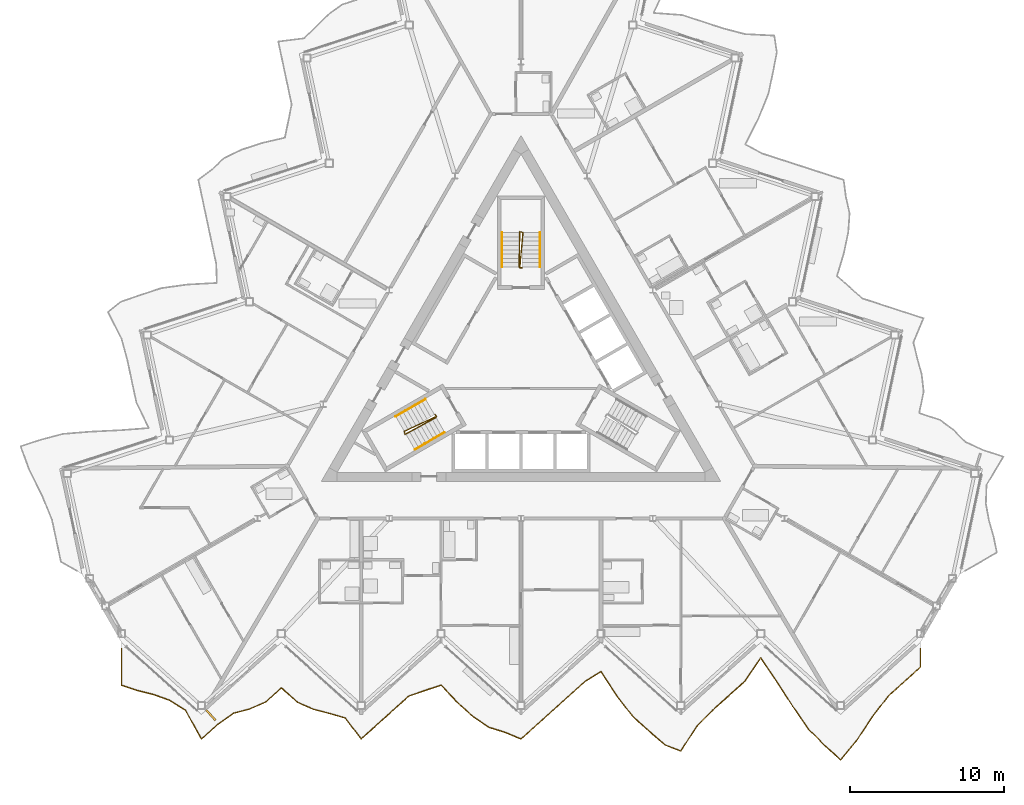
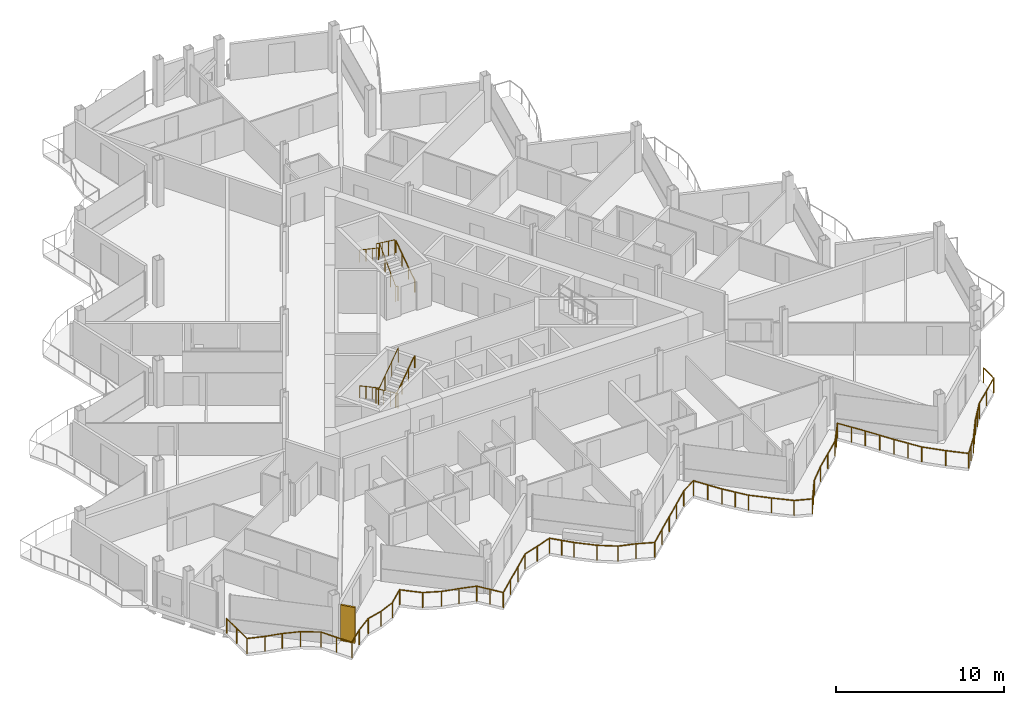
# One storey, part 22 of 26: 7 railings, 1 shading device.
"""IFC4 building model written with IfcOpenShell, lengths in metres."""

import ifcopenshell
import ifcopenshell.guid

model = None  # the IFC model being written
_history = None  # IfcOwnerHistory: only IFC2X3 demands one
_inside = {}  # id of a spatial element -> (the spatial element, [elements in it])
_under = {}  # id of a project, library or spatial element -> (it, [spatial elements below it])
_declared = {}  # id of a project -> (the project, [libraries it declares])
_typed = {}  # id of a type object -> (the type object, [elements of that type])
_made_of = {}  # id of a material, layer set ... -> (it, [elements and type objects made of it])


def new_model(schema):
    """Start an empty IFC model of exactly this schema.

    Asked for "IFC4X3", IfcOpenShell would pick the latest addendum, in which some entities
    have other attributes; the version numbers below select the first issue.
    IFC2X3 requires an IfcOwnerHistory on every rooted entity: one is made here for all.
    """
    global model, _history
    if schema == "IFC4X3":
        model = ifcopenshell.file(schema_version=(4, 3, 0, 0))
    else:
        model = ifcopenshell.file(schema=schema)
    _inside.clear()
    _under.clear()
    _declared.clear()
    _typed.clear()
    _made_of.clear()
    _history = None
    if model.schema == "IFC2X3":
        org = make("IfcOrganization", Name="unknown")
        user = make(
            "IfcPersonAndOrganization",
            ThePerson=make("IfcPerson", FamilyName="unknown"),
            TheOrganization=org,
        )
        app = make(
            "IfcApplication",
            ApplicationDeveloper=org,
            Version="unknown",
            ApplicationFullName="unknown",
            ApplicationIdentifier="unknown",
        )
        _history = make(
            "IfcOwnerHistory",
            OwningUser=user,
            OwningApplication=app,
            ChangeAction="ADDED",
            CreationDate=0,
        )
    return model


def make(cls, **values):
    """One entity of the class cls with the attributes given. An attribute that is None is left unset."""
    return model.create_entity(
        cls, **{name: value for name, value in values.items() if value is not None}
    )


def rooted(cls, **values):
    """An entity with a GlobalId (a new one), such as an element, a storey or a relation."""
    return make(cls, GlobalId=ifcopenshell.guid.new(), OwnerHistory=_history, **values)


def si_unit(unit_type, name, prefix=None):
    """IfcSIUnit, for example si_unit("LENGTHUNIT", "METRE", prefix="MILLI")."""
    return make("IfcSIUnit", UnitType=unit_type, Prefix=prefix, Name=name)


def assignment(units):
    """IfcUnitAssignment: the units of a project."""
    return None if units is None else make("IfcUnitAssignment", Units=units)


def point(xyz):
    """IfcCartesianPoint."""
    return None if xyz is None else make("IfcCartesianPoint", Coordinates=xyz)


def direction(xyz):
    """IfcDirection."""
    return None if xyz is None else make("IfcDirection", DirectionRatios=xyz)


def frame(location, z_axis=None, x_axis=None):
    """IfcAxis2Placement3D, a coordinate frame: its origin and axes. An axis left out is left unset."""
    return make(
        "IfcAxis2Placement3D",
        Location=point(location),
        Axis=direction(z_axis),
        RefDirection=direction(x_axis),
    )


def frame_2d(location, x_axis=None):
    """IfcAxis2Placement2D, a coordinate frame in the plane: its origin and x axis."""
    return make(
        "IfcAxis2Placement2D", Location=point(location), RefDirection=direction(x_axis)
    )


def origin():
    """The frame at (0, 0, 0) with its axes left unset."""
    return frame((0.0, 0.0, 0.0))


def origin_2d():
    """The frame at (0, 0) in the plane with its x axis left unset."""
    return frame_2d((0.0, 0.0))


def place(relative_to, where):
    """IfcLocalPlacement: puts the frame where relative to a parent placement (None: the world)."""
    return make(
        "IfcLocalPlacement", PlacementRelTo=relative_to, RelativePlacement=where
    )


def context(
    kind, dimensions, precision=None, world=None, true_north=None, identifier=None
):
    """IfcGeometricRepresentationContext, for example the 3D "Model" context."""
    return make(
        "IfcGeometricRepresentationContext",
        ContextIdentifier=identifier,
        ContextType=kind,
        CoordinateSpaceDimension=dimensions,
        Precision=precision,
        WorldCoordinateSystem=world,
        TrueNorth=true_north,
    )


def subcontext(parent, identifier, kind, view, scale=None):
    """IfcGeometricRepresentationSubContext, for example "Body" below "Model"."""
    return make(
        "IfcGeometricRepresentationSubContext",
        ContextIdentifier=identifier,
        ContextType=kind,
        ParentContext=parent,
        TargetScale=scale,
        TargetView=view,
    )


def project(units=None, contexts=None):
    """IfcProject with its units and contexts."""
    return rooted(
        "IfcProject",
        Name="project",
        RepresentationContexts=contexts,
        UnitsInContext=assignment(units),
    )


def spatial(cls, under=None, at=None, **own):
    """A site, building, storey or space (cls), placed at a placement, below another one or the project."""
    s = rooted(cls, ObjectPlacement=at, **own)
    if under is not None:
        _under.setdefault(under.id(), (under, []))[1].append(s)
    return s


def profile(cls, at=None, kind="AREA", **sizes):
    """A parametric profile (cls). Its sizes go by their IFC names, for example OverallWidth=200.0."""
    return make(cls, ProfileType=kind, Position=at, **sizes)


def rectangle(**sizes):
    """IfcRectangleProfileDef."""
    return profile("IfcRectangleProfileDef", **sizes)


def circle(**sizes):
    """IfcCircleProfileDef."""
    return profile("IfcCircleProfileDef", **sizes)


def extrude(swept, where, along, depth):
    """IfcExtrudedAreaSolid: the profile swept, set in the frame where, extruded along a direction by depth."""
    return make(
        "IfcExtrudedAreaSolid",
        SweptArea=swept,
        Position=where,
        ExtrudedDirection=direction(along),
        Depth=depth,
    )


def shape(context_of_items, identifier, shape_type, items):
    """IfcShapeRepresentation: the items that make up one representation, for example the "Body"."""
    return make(
        "IfcShapeRepresentation",
        ContextOfItems=context_of_items,
        RepresentationIdentifier=identifier,
        RepresentationType=shape_type,
        Items=items,
    )


def material(Name=None, Category=None):
    """IfcMaterial."""
    return make("IfcMaterial", Name=Name, Category=Category)


def layer(
    of_material, thickness, ventilated=None, Name=None, Category=None, Priority=None
):
    """IfcMaterialLayer: one layer of a wall or slab, of a material (None: an air gap)."""
    return make(
        "IfcMaterialLayer",
        Material=of_material,
        LayerThickness=thickness,
        IsVentilated=ventilated,
        Name=Name,
        Category=Category,
        Priority=Priority,
    )


def layer_set(layers, Name=None):
    """IfcMaterialLayerSet."""
    return make("IfcMaterialLayerSet", MaterialLayers=layers, LayerSetName=Name)


def made_of(thing, what):
    """Note that an element or type object is made of a material, layer set ...; save() writes the relation."""
    if what is not None:
        _made_of.setdefault(what.id(), (what, []))[1].append(thing)
    return thing


def type_object(cls, material=None, **own):
    """A type object (cls), such as IfcWallType, which elements share."""
    return made_of(rooted(cls, **own), material)


def element(
    cls,
    number,
    at=None,
    inside=None,
    cuts=None,
    type_object=None,
    material=None,
    context=None,
    identifier="Body",
    shape_type=None,
    held_by="IfcProductDefinitionShape",
    body=None,
    shapes=None,
    **own,
):
    """One element of the class cls, such as IfcWall. Its Tag is "e" and its number.

    at: its placement. inside: the storey or other place that contains it. cuts: it is an
    opening in that element (IfcRelVoidsElement). A single representation is given by context,
    identifier, shape_type and body (its items); several are given by shapes. held_by: the class
    of the entity that holds the representations. save() writes the other relations.
    """
    e = rooted(cls, Tag="e%d" % number, ObjectPlacement=at, **own)
    if body is not None:
        shapes = [shape(context, identifier, shape_type, body)]
    if shapes is not None:
        e.Representation = make(held_by, Representations=shapes)
    if inside is not None:
        _inside.setdefault(inside.id(), (inside, []))[1].append(e)
    if cuts is not None:
        rooted(
            "IfcRelVoidsElement", RelatingBuildingElement=cuts, RelatedOpeningElement=e
        )
    if type_object is not None:
        _typed.setdefault(type_object.id(), (type_object, []))[1].append(e)
    return made_of(e, material)


def aggregate(whole, parts):
    """IfcRelAggregates: a whole, such as a stair, and the parts it consists of."""
    return rooted("IfcRelAggregates", RelatingObject=whole, RelatedObjects=parts)


def save(model, path):
    """Write the relations noted so far, then the file.

    IfcRelAggregates (storeys below a building ...), IfcRelContainedInSpatialStructure (elements
    in a storey), IfcRelDefinesByType, IfcRelAssociatesMaterial and IfcRelDeclares: one each for
    every whole, place, type object, material and project.
    """
    for whole, parts in _under.values():
        aggregate(whole, parts)
    for where, things in _inside.values():
        rooted(
            "IfcRelContainedInSpatialStructure",
            RelatedElements=things,
            RelatingStructure=where,
        )
    for kind, things in _typed.values():
        rooted("IfcRelDefinesByType", RelatedObjects=things, RelatingType=kind)
    for what, things in _made_of.values():
        rooted("IfcRelAssociatesMaterial", RelatedObjects=things, RelatingMaterial=what)
    for by, libraries in _declared.values():
        rooted("IfcRelDeclares", RelatingContext=by, RelatedDefinitions=libraries)
    model.write(path)


model = new_model("IFC4")

# Units and contexts
model_context = context("Model", 3, precision=1e-05, world=origin(), true_north=direction((0.0, 1.0)))
body_context = subcontext(model_context, "Body", "Model", "MODEL_VIEW")
ifc_project = project(units=[si_unit("LENGTHUNIT", "METRE"), si_unit("AREAUNIT", "SQUARE_METRE"), si_unit("VOLUMEUNIT", "CUBIC_METRE"), si_unit("PLANEANGLEUNIT", "RADIAN"), si_unit("MASSUNIT", "GRAM", prefix="KILO")], contexts=[model_context])

# Site, building, storey
site_placement = place(None, origin())
site = spatial("IfcSite", under=ifc_project, at=site_placement, CompositionType="ELEMENT")
building_placement = place(site_placement, origin())
building = spatial("IfcBuilding", under=site, at=building_placement, Name="Cormorant Prow Tower", CompositionType="ELEMENT")
storey_placement = place(building_placement, frame((0.0, 0.0, 378.0)))
storey = spatial("IfcBuildingStorey", under=building, at=storey_placement, Name="L85", CompositionType="ELEMENT", Elevation=378.0)

# Railings
ifc_material_1 = material(Name="Aluminium 6063-T6", Category="aluminium")
railing_type_1 = type_object("IfcRailingType", Name="Balcony guard 1100", PredefinedType="GUARDRAIL", material=ifc_material_1)
railing_1_placement = place(storey_placement, frame((-26.0, -18.363525390625, 0.0)))
element("IfcRailing", 1, at=railing_1_placement, inside=storey, type_object=railing_type_1, Name="Balcony guard S", PredefinedType="GUARDRAIL", context=body_context, shape_type="SweptSolid", body=[
    extrude(circle(Radius=0.02392578125, at=origin_2d()), frame((0.0, 0.0, 1.076171875), z_axis=(0.0, -1.0, 0.0), x_axis=(1.0, 0.0, 0.0)), (0.0, 0.0, 1.0), 2.40380859375),
    extrude(circle(Radius=0.02392578125, at=origin_2d()), frame((0.0, -2.40380859375, 1.076171875), z_axis=(0.949216711511, -0.314623003909, 0.0), x_axis=(0.314623003909, 0.949216711511, 0.0)), (0.0, 0.0, 1.0), 1.095703125),
    extrude(circle(Radius=0.02392578125, at=origin_2d()), frame((1.0400390625, -2.74853515625, 1.076171875), z_axis=(0.970463258891, -0.241248965062, 0.0), x_axis=(0.241248965062, 0.970463258891, 0.0)), (0.0, 0.0, 1.0), 1.07177734375),
    extrude(circle(Radius=0.02392578125, at=origin_2d()), frame((2.080078125, -3.007080078125, 1.076171875), z_axis=(0.941491643018, -0.337036327606, 0.0), x_axis=(0.337036327606, 0.941491643018, 0.0)), (0.0, 0.0, 1.0), 1.104736328125),
    extrude(circle(Radius=0.02392578125, at=origin_2d()), frame((3.1201171875, -3.37939453125, 1.076171875), z_axis=(0.847271053482, -0.531160768442, 0.0), x_axis=(0.531160768442, 0.847271053482, 0.0)), (0.0, 0.0, 1.0), 1.227294921875),
    extrude(circle(Radius=0.02392578125, at=origin_2d()), frame((4.159912109375, -4.03125, 1.076171875), z_axis=(0.48588501577, -0.874022740808, 0.0), x_axis=(0.874022740808, 0.48588501577, 0.0)), (0.0, 0.0, 1.0), 2.140625),
    extrude(circle(Radius=0.02392578125, at=origin_2d()), frame((5.199951171875, -5.902099609375, 1.076171875), z_axis=(0.743120643554, 0.66915746213, 0.0), x_axis=(-0.66915746213, 0.743120643554, 0.0)), (0.0, 0.0, 1.0), 1.399658203125),
    extrude(circle(Radius=0.02392578125, at=origin_2d()), frame((6.239990234375, -4.965576171875, 1.076171875), z_axis=(0.816160009133, 0.577825959518, 0.0), x_axis=(-0.577825959518, 0.816160009133, 0.0)), (0.0, 0.0, 1.0), 1.2744140625),
    extrude(circle(Radius=0.02392578125, at=origin_2d()), frame((7.280029296875, -4.229248046875, 1.076171875), z_axis=(0.967745006886, 0.251931740056, 0.0), x_axis=(-0.251931740056, 0.967745006886, 0.0)), (0.0, 0.0, 1.0), 1.07470703125),
    extrude(circle(Radius=0.02392578125, at=origin_2d()), frame((8.320068359375, -3.95849609375, 1.076171875), z_axis=(0.91708374588, 0.398694623796, 0.0), x_axis=(-0.398694623796, 0.91708374588, 0.0)), (0.0, 0.0, 1.0), 1.134033203125),
    extrude(circle(Radius=0.02392578125, at=origin_2d()), frame((9.360107421875, -3.50634765625, 1.076171875), z_axis=(0.743129279254, 0.669147871786, 0.0), x_axis=(-0.669147871786, 0.743129279254, 0.0)), (0.0, 0.0, 1.0), 1.399169921875),
    extrude(circle(Radius=0.02392578125, at=origin_2d()), frame((10.39990234375, -2.570068359375, 1.076171875), z_axis=(0.743207391022, -0.669061113749, 0.0), x_axis=(0.669061113749, 0.743207391022, 0.0)), (0.0, 0.0, 1.0), 1.3994140625),
    extrude(circle(Radius=0.02392578125, at=origin_2d()), frame((11.43994140625, -3.50634765625, 1.076171875), z_axis=(0.915584205274, -0.402126302363, 0.0), x_axis=(0.402126302363, 0.915584205274, 0.0)), (0.0, 0.0, 1.0), 1.135986328125),
    extrude(circle(Radius=0.02392578125, at=origin_2d()), frame((12.47998046875, -3.963134765625, 1.076171875), z_axis=(0.967578668894, -0.252569830941, 0.0), x_axis=(0.252569830941, 0.967578668894, 0.0)), (0.0, 0.0, 1.0), 1.074951171875),
    extrude(circle(Radius=0.02392578125, at=origin_2d()), frame((13.52001953125, -4.234619140625, 1.076171875), z_axis=(0.960994388174, -0.276567868521, 0.0), x_axis=(0.276567868521, 0.960994388174, 0.0)), (0.0, 0.0, 1.0), 1.082275390625),
    extrude(circle(Radius=0.02392578125, at=origin_2d()), frame((14.56005859375, -4.533935546875, 1.076171875), z_axis=(0.605169709373, -0.796096490922, 0.0), x_axis=(0.796096490922, 0.605169709373, 0.0)), (0.0, 0.0, 1.0), 1.718505859375),
    extrude(circle(Radius=0.02392578125, at=origin_2d()), frame((15.60009765625, -5.902099609375, 1.076171875), z_axis=(0.74304251841, 0.669244212403, 0.0), x_axis=(-0.669244212403, 0.74304251841, 0.0)), (0.0, 0.0, 1.0), 1.3994140625),
    extrude(circle(Radius=0.02392578125, at=origin_2d()), frame((16.639892578125, -4.965576171875, 1.076171875), z_axis=(0.743207391022, 0.669061113749, 0.0), x_axis=(-0.669061113749, 0.743207391022, 0.0)), (0.0, 0.0, 1.0), 1.3994140625),
    extrude(circle(Radius=0.02392578125, at=origin_2d()), frame((17.679931640625, -4.029296875, 1.076171875), z_axis=(0.743120643554, 0.66915746213, 0.0), x_axis=(-0.66915746213, 0.743120643554, 0.0)), (0.0, 0.0, 1.0), 1.399658203125),
    extrude(circle(Radius=0.02392578125, at=origin_2d()), frame((18.719970703125, -3.0927734375, 1.076171875), z_axis=(0.947879229776, 0.318629825596, 0.0), x_axis=(-0.318629825596, 0.947879229776, 0.0)), (0.0, 0.0, 1.0), 1.09716796875),
    extrude(circle(Radius=0.02392578125, at=origin_2d()), frame((19.760009765625, -2.7431640625, 1.076171875), z_axis=(0.949681709263, 0.313216620074, 0.0), x_axis=(-0.313216620074, 0.949681709263, 0.0)), (0.0, 0.0, 1.0), 1.09521484375),
    extrude(circle(Radius=0.02392578125, at=origin_2d()), frame((20.800048828125, -2.400146484375, 1.076171875), z_axis=(0.684983419518, -0.72855865583, 0.0), x_axis=(0.72855865583, 0.684983419518, 0.0)), (0.0, 0.0, 1.0), 1.518310546875),
    extrude(circle(Radius=0.02392578125, at=origin_2d()), frame((21.840087890625, -3.50634765625, 1.076171875), z_axis=(0.74304251841, -0.669244212403, 0.0), x_axis=(0.669244212403, 0.74304251841, 0.0)), (0.0, 0.0, 1.0), 1.3994140625),
    extrude(circle(Radius=0.02392578125, at=origin_2d()), frame((22.8798828125, -4.44287109375, 1.076171875), z_axis=(0.828532880036, -0.559940413526, 0.0), x_axis=(0.559940413526, 0.828532880036, 0.0)), (0.0, 0.0, 1.0), 1.25537109375),
    extrude(circle(Radius=0.02392578125, at=origin_2d()), frame((23.919921875, -5.145751953125, 1.076171875), z_axis=(0.955322079732, -0.295566784293, 0.0), x_axis=(0.295566784293, 0.955322079732, 0.0)), (0.0, 0.0, 1.0), 1.088623046875),
    extrude(circle(Radius=0.02392578125, at=origin_2d()), frame((24.9599609375, -5.467529296875, 1.076171875), z_axis=(0.922691974816, -0.385537961308, 0.0), x_axis=(0.385537961308, 0.922691974816, 0.0)), (0.0, 0.0, 1.0), 1.127197265625),
    extrude(circle(Radius=0.02392578125, at=origin_2d()), frame((26.0, -5.902099609375, 1.076171875), z_axis=(0.743120643554, 0.66915746213, 0.0), x_axis=(-0.66915746213, 0.743120643554, 0.0)), (0.0, 0.0, 1.0), 1.399658203125),
    extrude(circle(Radius=0.02392578125, at=origin_2d()), frame((27.0400390625, -4.965576171875, 1.076171875), z_axis=(0.743207391022, 0.669061113749, 0.0), x_axis=(-0.669061113749, 0.743207391022, 0.0)), (0.0, 0.0, 1.0), 1.3994140625),
    extrude(circle(Radius=0.02392578125, at=origin_2d()), frame((28.080078125, -4.029296875, 1.076171875), z_axis=(0.743120643554, 0.66915746213, 0.0), x_axis=(-0.66915746213, 0.743120643554, 0.0)), (0.0, 0.0, 1.0), 1.399658203125),
    extrude(circle(Radius=0.02392578125, at=origin_2d()), frame((29.1201171875, -3.0927734375, 1.076171875), z_axis=(0.743129279254, 0.669147871786, 0.0), x_axis=(-0.669147871786, 0.743129279254, 0.0)), (0.0, 0.0, 1.0), 1.399169921875),
    extrude(circle(Radius=0.02392578125, at=origin_2d()), frame((30.159912109375, -2.156494140625, 1.076171875), z_axis=(0.850009906442, 0.526766702584, 0.0), x_axis=(-0.526766702584, 0.850009906442, 0.0)), (0.0, 0.0, 1.0), 1.2236328125),
    extrude(circle(Radius=0.02392578125, at=origin_2d()), frame((31.199951171875, -1.511962890625, 1.076171875), z_axis=(0.547266669214, -0.836958298105, 0.0), x_axis=(0.836958298105, 0.547266669214, 0.0)), (0.0, 0.0, 1.0), 1.900390625),
    extrude(circle(Radius=0.02392578125, at=origin_2d()), frame((32.239990234375, -3.1025390625, 1.076171875), z_axis=(0.613043566481, -0.790049103282, 0.0), x_axis=(0.790049103282, 0.613043566481, 0.0)), (0.0, 0.0, 1.0), 1.696533203125),
    extrude(circle(Radius=0.02392578125, at=origin_2d()), frame((33.280029296875, -4.44287109375, 1.076171875), z_axis=(0.743120643554, -0.66915746213, 0.0), x_axis=(0.66915746213, 0.743120643554, 0.0)), (0.0, 0.0, 1.0), 1.399658203125),
    extrude(circle(Radius=0.02392578125, at=origin_2d()), frame((34.320068359375, -5.37939453125, 1.076171875), z_axis=(0.755162433193, -0.655537717828, 0.0), x_axis=(0.655537717828, 0.755162433193, 0.0)), (0.0, 0.0, 1.0), 1.377197265625),
    extrude(circle(Radius=0.02392578125, at=origin_2d()), frame((35.360107421875, -6.2822265625, 1.076171875), z_axis=(0.931284713773, -0.364292165566, 0.0), x_axis=(0.364292165566, 0.931284713773, 0.0)), (0.0, 0.0, 1.0), 1.116455078125),
    extrude(circle(Radius=0.02392578125, at=origin_2d()), frame((36.39990234375, -6.68896484375, 1.076171875), z_axis=(0.542765165878, 0.839884500815, 0.0), x_axis=(-0.839884500815, 0.542765165878, 0.0)), (0.0, 0.0, 1.0), 1.916259765625),
    extrude(circle(Radius=0.02392578125, at=origin_2d()), frame((37.43994140625, -5.07958984375, 1.076171875), z_axis=(0.703629676819, 0.710566870815, 0.0), x_axis=(-0.710566870815, 0.703629676819, 0.0)), (0.0, 0.0, 1.0), 1.47802734375),
    extrude(circle(Radius=0.02392578125, at=origin_2d()), frame((38.47998046875, -4.029296875, 1.076171875), z_axis=(0.743120643554, 0.66915746213, 0.0), x_axis=(-0.66915746213, 0.743120643554, 0.0)), (0.0, 0.0, 1.0), 1.399658203125),
    extrude(circle(Radius=0.02392578125, at=origin_2d()), frame((39.52001953125, -3.0927734375, 1.076171875), z_axis=(0.743207391022, 0.669061113749, 0.0), x_axis=(-0.669061113749, 0.743207391022, 0.0)), (0.0, 0.0, 1.0), 1.3994140625),
    extrude(circle(Radius=0.02392578125, at=origin_2d()), frame((40.56005859375, -2.156494140625, 1.076171875), z_axis=(0.56272184316, 0.826646313262, 0.0), x_axis=(-0.826646313262, 0.56272184316, 0.0)), (0.0, 0.0, 1.0), 1.84814453125),
    extrude(circle(Radius=0.02392578125, at=origin_2d()), frame((41.60009765625, -0.628662109375, 1.076171875), z_axis=(0.563246541597, -0.826288892204, 0.0), x_axis=(0.826288892204, 0.563246541597, 0.0)), (0.0, 0.0, 1.0), 1.84619140625),
    extrude(circle(Radius=0.02392578125, at=origin_2d()), frame((42.639892578125, -2.154052734375, 1.076171875), z_axis=(0.541547631663, -0.840670067649, 0.0), x_axis=(0.840670067649, 0.541547631663, 0.0)), (0.0, 0.0, 1.0), 1.92041015625),
    extrude(circle(Radius=0.02392578125, at=origin_2d()), frame((43.679931640625, -3.7685546875, 1.076171875), z_axis=(0.56885579327, -0.822437284213, 0.0), x_axis=(0.822437284213, 0.56885579327, 0.0)), (0.0, 0.0, 1.0), 1.828369140625),
    extrude(circle(Radius=0.02392578125, at=origin_2d()), frame((44.719970703125, -5.272216796875, 1.076171875), z_axis=(0.705945824819, -0.708265834571, 0.0), x_axis=(0.708265834571, 0.705945824819, 0.0)), (0.0, 0.0, 1.0), 1.47314453125),
    extrude(circle(Radius=0.02392578125, at=origin_2d()), frame((45.760009765625, -6.315673828125, 1.076171875), z_axis=(0.743207391022, -0.669061113749, 0.0), x_axis=(0.669061113749, 0.743207391022, 0.0)), (0.0, 0.0, 1.0), 1.3994140625),
    extrude(circle(Radius=0.02392578125, at=origin_2d()), frame((46.800048828125, -7.251953125, 1.076171875), z_axis=(0.642109751933, 0.766612722613, 0.0), x_axis=(-0.766612722613, 0.642109751933, 0.0)), (0.0, 0.0, 1.0), 1.61962890625),
    extrude(circle(Radius=0.02392578125, at=origin_2d()), frame((47.840087890625, -6.01025390625, 1.076171875), z_axis=(0.552035240511, 0.833820780044, 0.0), x_axis=(-0.833820780044, 0.552035240511, 0.0)), (0.0, 0.0, 1.0), 1.883544921875),
    extrude(circle(Radius=0.02392578125, at=origin_2d()), frame((48.8798828125, -4.439697265625, 1.076171875), z_axis=(0.611165726756, 0.791502655989, 0.0), x_axis=(-0.791502655989, 0.611165726756, 0.0)), (0.0, 0.0, 1.0), 1.70166015625),
    extrude(circle(Radius=0.02392578125, at=origin_2d()), frame((49.919921875, -3.0927734375, 1.076171875), z_axis=(0.743207391022, 0.669061113749, 0.0), x_axis=(-0.669061113749, 0.743207391022, 0.0)), (0.0, 0.0, 1.0), 1.3994140625),
    extrude(circle(Radius=0.02392578125, at=origin_2d()), frame((50.9599609375, -2.156494140625, 1.076171875), z_axis=(0.743120643554, 0.66915746213, 0.0), x_axis=(-0.66915746213, 0.743120643554, 0.0)), (0.0, 0.0, 1.0), 1.399658203125),
    extrude(circle(Radius=0.02392578125, at=origin_2d()), frame((52.0, -1.219970703125, 1.076171875), z_axis=(0.0, 1.0, 0.0), x_axis=(-1.0, 0.0, 0.0)), (0.0, 0.0, 1.0), 1.219970703125),
    extrude(circle(Radius=0.02099609375, at=origin_2d()), origin(), (0.0, 0.0, 1.0), 1.052001953125),
    extrude(circle(Radius=0.02099609375, at=origin_2d()), frame((0.0, -1.201904296875, 0.0)), (0.0, 0.0, 1.0), 1.052001953125),
    extrude(circle(Radius=0.02099609375, at=origin_2d()), frame((0.0, -2.40380859375, 0.0)), (0.0, 0.0, 1.0), 1.052001953125),
    extrude(circle(Radius=0.02099609375, at=origin_2d()), frame((1.0400390625, -2.74853515625, 0.0)), (0.0, 0.0, 1.0), 1.052001953125),
    extrude(circle(Radius=0.02099609375, at=origin_2d()), frame((2.080078125, -3.007080078125, 0.0)), (0.0, 0.0, 1.0), 1.052001953125),
    extrude(circle(Radius=0.02099609375, at=origin_2d()), frame((3.1201171875, -3.37939453125, 0.0)), (0.0, 0.0, 1.0), 1.052001953125),
    extrude(circle(Radius=0.02099609375, at=origin_2d()), frame((4.159912109375, -4.03125, 0.0)), (0.0, 0.0, 1.0), 1.052001953125),
    extrude(circle(Radius=0.02099609375, at=origin_2d()), frame((4.679931640625, -4.966796875, 0.0)), (0.0, 0.0, 1.0), 1.052001953125),
    extrude(circle(Radius=0.02099609375, at=origin_2d()), frame((5.199951171875, -5.902099609375, 0.0)), (0.0, 0.0, 1.0), 1.052001953125),
    extrude(circle(Radius=0.02099609375, at=origin_2d()), frame((6.239990234375, -4.965576171875, 0.0)), (0.0, 0.0, 1.0), 1.052001953125),
    extrude(circle(Radius=0.02099609375, at=origin_2d()), frame((7.280029296875, -4.229248046875, 0.0)), (0.0, 0.0, 1.0), 1.052001953125),
    extrude(circle(Radius=0.02099609375, at=origin_2d()), frame((8.320068359375, -3.95849609375, 0.0)), (0.0, 0.0, 1.0), 1.052001953125),
    extrude(circle(Radius=0.02099609375, at=origin_2d()), frame((9.360107421875, -3.50634765625, 0.0)), (0.0, 0.0, 1.0), 1.052001953125),
    extrude(circle(Radius=0.02099609375, at=origin_2d()), frame((10.39990234375, -2.570068359375, 0.0)), (0.0, 0.0, 1.0), 1.052001953125),
    extrude(circle(Radius=0.02099609375, at=origin_2d()), frame((11.43994140625, -3.50634765625, 0.0)), (0.0, 0.0, 1.0), 1.052001953125),
    extrude(circle(Radius=0.02099609375, at=origin_2d()), frame((12.47998046875, -3.963134765625, 0.0)), (0.0, 0.0, 1.0), 1.052001953125),
    extrude(circle(Radius=0.02099609375, at=origin_2d()), frame((13.52001953125, -4.234619140625, 0.0)), (0.0, 0.0, 1.0), 1.052001953125),
    extrude(circle(Radius=0.02099609375, at=origin_2d()), frame((14.56005859375, -4.533935546875, 0.0)), (0.0, 0.0, 1.0), 1.052001953125),
    extrude(circle(Radius=0.02099609375, at=origin_2d()), frame((15.080078125, -5.218017578125, 0.0)), (0.0, 0.0, 1.0), 1.052001953125),
    extrude(circle(Radius=0.02099609375, at=origin_2d()), frame((15.60009765625, -5.902099609375, 0.0)), (0.0, 0.0, 1.0), 1.052001953125),
    extrude(circle(Radius=0.02099609375, at=origin_2d()), frame((16.639892578125, -4.965576171875, 0.0)), (0.0, 0.0, 1.0), 1.052001953125),
    extrude(circle(Radius=0.02099609375, at=origin_2d()), frame((17.679931640625, -4.029296875, 0.0)), (0.0, 0.0, 1.0), 1.052001953125),
    extrude(circle(Radius=0.02099609375, at=origin_2d()), frame((18.719970703125, -3.0927734375, 0.0)), (0.0, 0.0, 1.0), 1.052001953125),
    extrude(circle(Radius=0.02099609375, at=origin_2d()), frame((19.760009765625, -2.7431640625, 0.0)), (0.0, 0.0, 1.0), 1.052001953125),
    extrude(circle(Radius=0.02099609375, at=origin_2d()), frame((20.800048828125, -2.400146484375, 0.0)), (0.0, 0.0, 1.0), 1.052001953125),
    extrude(circle(Radius=0.02099609375, at=origin_2d()), frame((21.320068359375, -2.953125, 0.0)), (0.0, 0.0, 1.0), 1.052001953125),
    extrude(circle(Radius=0.02099609375, at=origin_2d()), frame((21.840087890625, -3.50634765625, 0.0)), (0.0, 0.0, 1.0), 1.052001953125),
    extrude(circle(Radius=0.02099609375, at=origin_2d()), frame((22.8798828125, -4.44287109375, 0.0)), (0.0, 0.0, 1.0), 1.052001953125),
    extrude(circle(Radius=0.02099609375, at=origin_2d()), frame((23.919921875, -5.145751953125, 0.0)), (0.0, 0.0, 1.0), 1.052001953125),
    extrude(circle(Radius=0.02099609375, at=origin_2d()), frame((24.9599609375, -5.467529296875, 0.0)), (0.0, 0.0, 1.0), 1.052001953125),
    extrude(circle(Radius=0.02099609375, at=origin_2d()), frame((26.0, -5.902099609375, 0.0)), (0.0, 0.0, 1.0), 1.052001953125),
    extrude(circle(Radius=0.02099609375, at=origin_2d()), frame((27.0400390625, -4.965576171875, 0.0)), (0.0, 0.0, 1.0), 1.052001953125),
    extrude(circle(Radius=0.02099609375, at=origin_2d()), frame((28.080078125, -4.029296875, 0.0)), (0.0, 0.0, 1.0), 1.052001953125),
    extrude(circle(Radius=0.02099609375, at=origin_2d()), frame((29.1201171875, -3.0927734375, 0.0)), (0.0, 0.0, 1.0), 1.052001953125),
    extrude(circle(Radius=0.02099609375, at=origin_2d()), frame((30.159912109375, -2.156494140625, 0.0)), (0.0, 0.0, 1.0), 1.052001953125),
    extrude(circle(Radius=0.02099609375, at=origin_2d()), frame((31.199951171875, -1.511962890625, 0.0)), (0.0, 0.0, 1.0), 1.052001953125),
    extrude(circle(Radius=0.02099609375, at=origin_2d()), frame((31.719970703125, -2.30712890625, 0.0)), (0.0, 0.0, 1.0), 1.052001953125),
    extrude(circle(Radius=0.02099609375, at=origin_2d()), frame((32.239990234375, -3.1025390625, 0.0)), (0.0, 0.0, 1.0), 1.052001953125),
    extrude(circle(Radius=0.02099609375, at=origin_2d()), frame((32.760009765625, -3.772705078125, 0.0)), (0.0, 0.0, 1.0), 1.052001953125),
    extrude(circle(Radius=0.02099609375, at=origin_2d()), frame((33.280029296875, -4.44287109375, 0.0)), (0.0, 0.0, 1.0), 1.052001953125),
    extrude(circle(Radius=0.02099609375, at=origin_2d()), frame((34.320068359375, -5.37939453125, 0.0)), (0.0, 0.0, 1.0), 1.052001953125),
    extrude(circle(Radius=0.02099609375, at=origin_2d()), frame((35.360107421875, -6.2822265625, 0.0)), (0.0, 0.0, 1.0), 1.052001953125),
    extrude(circle(Radius=0.02099609375, at=origin_2d()), frame((36.39990234375, -6.68896484375, 0.0)), (0.0, 0.0, 1.0), 1.052001953125),
    extrude(circle(Radius=0.02099609375, at=origin_2d()), frame((36.919921875, -5.88427734375, 0.0)), (0.0, 0.0, 1.0), 1.052001953125),
    extrude(circle(Radius=0.02099609375, at=origin_2d()), frame((37.43994140625, -5.07958984375, 0.0)), (0.0, 0.0, 1.0), 1.052001953125),
    extrude(circle(Radius=0.02099609375, at=origin_2d()), frame((38.47998046875, -4.029296875, 0.0)), (0.0, 0.0, 1.0), 1.052001953125),
    extrude(circle(Radius=0.02099609375, at=origin_2d()), frame((39.52001953125, -3.0927734375, 0.0)), (0.0, 0.0, 1.0), 1.052001953125),
    extrude(circle(Radius=0.02099609375, at=origin_2d()), frame((40.56005859375, -2.156494140625, 0.0)), (0.0, 0.0, 1.0), 1.052001953125),
    extrude(circle(Radius=0.02099609375, at=origin_2d()), frame((41.080078125, -1.392578125, 0.0)), (0.0, 0.0, 1.0), 1.052001953125),
    extrude(circle(Radius=0.02099609375, at=origin_2d()), frame((41.60009765625, -0.628662109375, 0.0)), (0.0, 0.0, 1.0), 1.052001953125),
    extrude(circle(Radius=0.02099609375, at=origin_2d()), frame((42.1201171875, -1.391357421875, 0.0)), (0.0, 0.0, 1.0), 1.052001953125),
    extrude(circle(Radius=0.02099609375, at=origin_2d()), frame((42.639892578125, -2.154052734375, 0.0)), (0.0, 0.0, 1.0), 1.052001953125),
    extrude(circle(Radius=0.02099609375, at=origin_2d()), frame((43.159912109375, -2.96142578125, 0.0)), (0.0, 0.0, 1.0), 1.052001953125),
    extrude(circle(Radius=0.02099609375, at=origin_2d()), frame((43.679931640625, -3.7685546875, 0.0)), (0.0, 0.0, 1.0), 1.052001953125),
    extrude(circle(Radius=0.02099609375, at=origin_2d()), frame((44.199951171875, -4.5205078125, 0.0)), (0.0, 0.0, 1.0), 1.052001953125),
    extrude(circle(Radius=0.02099609375, at=origin_2d()), frame((44.719970703125, -5.272216796875, 0.0)), (0.0, 0.0, 1.0), 1.052001953125),
    extrude(circle(Radius=0.02099609375, at=origin_2d()), frame((45.760009765625, -6.315673828125, 0.0)), (0.0, 0.0, 1.0), 1.052001953125),
    extrude(circle(Radius=0.02099609375, at=origin_2d()), frame((46.800048828125, -7.251953125, 0.0)), (0.0, 0.0, 1.0), 1.052001953125),
    extrude(circle(Radius=0.02099609375, at=origin_2d()), frame((47.320068359375, -6.631103515625, 0.0)), (0.0, 0.0, 1.0), 1.052001953125),
    extrude(circle(Radius=0.02099609375, at=origin_2d()), frame((47.840087890625, -6.01025390625, 0.0)), (0.0, 0.0, 1.0), 1.052001953125),
    extrude(circle(Radius=0.02099609375, at=origin_2d()), frame((48.35986328125, -5.22509765625, 0.0)), (0.0, 0.0, 1.0), 1.052001953125),
    extrude(circle(Radius=0.02099609375, at=origin_2d()), frame((48.8798828125, -4.439697265625, 0.0)), (0.0, 0.0, 1.0), 1.052001953125),
    extrude(circle(Radius=0.02099609375, at=origin_2d()), frame((49.39990234375, -3.76611328125, 0.0)), (0.0, 0.0, 1.0), 1.052001953125),
    extrude(circle(Radius=0.02099609375, at=origin_2d()), frame((49.919921875, -3.0927734375, 0.0)), (0.0, 0.0, 1.0), 1.052001953125),
    extrude(circle(Radius=0.02099609375, at=origin_2d()), frame((50.9599609375, -2.156494140625, 0.0)), (0.0, 0.0, 1.0), 1.052001953125),
    extrude(circle(Radius=0.02099609375, at=origin_2d()), frame((52.0, -1.219970703125, 0.0)), (0.0, 0.0, 1.0), 1.052001953125),
    extrude(circle(Radius=0.02099609375, at=origin_2d()), frame((52.0, 0.0, 0.0)), (0.0, 0.0, 1.0), 1.052001953125),
])
ifc_material_2 = material(Name="Stainless steel", Category="steel")
railing_type_2 = type_object("IfcRailingType", Name="Stair guard 1100", PredefinedType="GUARDRAIL", material=ifc_material_2)
railing_2_placement = place(storey_placement, frame((-5.585205078125, -3.137939453125, 0.0)))
element("IfcRailing", 2, at=railing_2_placement, inside=storey, type_object=railing_type_2, Name="L85 ST1 stair guard 1", PredefinedType="GUARDRAIL", context=body_context, shape_type="SweptSolid", body=[
    extrude(circle(Radius=0.02392578125, at=origin_2d()), frame((0.0, 0.0, 1.076171875), z_axis=(0.501036270542, -0.865426285481, 0.0), x_axis=(0.865426285481, 0.501036270542, 0.0)), (0.0, 0.0, 1.0), 0.150146484375),
    extrude(circle(Radius=0.02392578125, at=origin_2d()), frame((0.0751953125, -0.1298828125, 1.076171875), z_axis=(-0.728641035543, -0.339941399566, 0.594577233152), x_axis=(0.422792438952, -0.906226546491, 0.0)), (0.0, 0.0, 1.0), 2.859130859375),
    extrude(circle(Radius=0.02392578125, at=origin_2d()), frame((-2.008056640625, -1.101806640625, 2.77587890625), z_axis=(0.275034262293, -0.961434425515, 0.0), x_axis=(0.961434425515, 0.275034262293, 0.0)), (0.0, 0.0, 1.0), 0.2060546875),
    extrude(circle(Radius=0.02392578125, at=origin_2d()), frame((-1.951416015625, -1.2998046875, 2.77587890625), z_axis=(0.704058451865, 0.386179398835, 0.595959032378), x_axis=(-0.480911908544, 0.87676891837, 0.0)), (0.0, 0.0, 1.0), 2.8525390625),
    extrude(circle(Radius=0.02099609375, at=origin_2d()), origin(), (0.0, 0.0, 1.0), 1.052001953125),
    extrude(circle(Radius=0.02099609375, at=origin_2d()), frame((0.0751953125, -0.1298828125, 0.0)), (0.0, 0.0, 1.0), 1.052001953125),
    extrude(circle(Radius=0.02099609375, at=origin_2d()), frame((-0.619140625, -0.453857421875, 0.566650390625)), (0.0, 0.0, 1.0), 1.052001953125),
    extrude(circle(Radius=0.02099609375, at=origin_2d()), frame((-1.313720703125, -0.77783203125, 1.13330078125)), (0.0, 0.0, 1.0), 1.052001953125),
    extrude(circle(Radius=0.02099609375, at=origin_2d()), frame((-2.008056640625, -1.101806640625, 1.699951171875)), (0.0, 0.0, 1.0), 1.052001953125),
    extrude(circle(Radius=0.02099609375, at=origin_2d()), frame((-1.951416015625, -1.2998046875, 1.699951171875)), (0.0, 0.0, 1.0), 1.052001953125),
    extrude(circle(Radius=0.02099609375, at=origin_2d()), frame((-1.281982421875, -0.9326171875, 2.2666015625)), (0.0, 0.0, 1.0), 1.052001953125),
    extrude(circle(Radius=0.02099609375, at=origin_2d()), frame((-0.612548828125, -0.5654296875, 2.833251953125)), (0.0, 0.0, 1.0), 1.052001953125),
    extrude(circle(Radius=0.02099609375, at=origin_2d()), frame((0.056884765625, -0.1982421875, 3.39990234375)), (0.0, 0.0, 1.0), 1.052001953125),
])
railing_3_placement = place(storey_placement, frame((0.074951171875, 6.40576171875, 0.0)))
element("IfcRailing", 3, at=railing_3_placement, inside=storey, type_object=railing_type_2, Name="L85 ST3 stair guard 1", PredefinedType="GUARDRAIL", context=body_context, shape_type="SweptSolid", body=[
    extrude(circle(Radius=0.02392578125, at=origin_2d()), frame((0.0, 0.0, 1.076171875), z_axis=(-1.0, 0.0, 0.0), x_axis=(0.0, -1.0, 0.0)), (0.0, 0.0, 1.0), 0.14990234375),
    extrude(circle(Radius=0.02392578125, at=origin_2d()), frame((-0.14990234375, 0.0, 1.076171875), z_axis=(0.069936542308, 0.800982621307, 0.594588698525), x_axis=(-0.996209839609, 0.086982500921, 0.0)), (0.0, 0.0, 1.0), 2.859130859375),
    extrude(circle(Radius=0.02392578125, at=origin_2d()), frame((0.050048828125, 2.2900390625, 2.77587890625), z_axis=(-0.970072785993, 0.242814311512, 0.0), x_axis=(-0.242814311512, -0.970072785993, 0.0)), (0.0, 0.0, 1.0), 0.2060546875),
    extrude(circle(Radius=0.02392578125, at=origin_2d()), frame((-0.14990234375, 2.340087890625, 2.77587890625), z_axis=(-0.017545750742, -0.80282508275, 0.595956402045), x_axis=(0.999761264773, -0.0218497931, 0.0)), (0.0, 0.0, 1.0), 2.8525390625),
    extrude(circle(Radius=0.02099609375, at=origin_2d()), origin(), (0.0, 0.0, 1.0), 1.052001953125),
    extrude(circle(Radius=0.02099609375, at=origin_2d()), frame((-0.14990234375, 0.0, 0.0)), (0.0, 0.0, 1.0), 1.052001953125),
    extrude(circle(Radius=0.02099609375, at=origin_2d()), frame((-0.083251953125, 0.763427734375, 0.566650390625)), (0.0, 0.0, 1.0), 1.052001953125),
    extrude(circle(Radius=0.02099609375, at=origin_2d()), frame((-0.0166015625, 1.526611328125, 1.13330078125)), (0.0, 0.0, 1.0), 1.052001953125),
    extrude(circle(Radius=0.02099609375, at=origin_2d()), frame((0.050048828125, 2.2900390625, 1.699951171875)), (0.0, 0.0, 1.0), 1.052001953125),
    extrude(circle(Radius=0.02099609375, at=origin_2d()), frame((-0.14990234375, 2.340087890625, 1.699951171875)), (0.0, 0.0, 1.0), 1.052001953125),
    extrude(circle(Radius=0.02099609375, at=origin_2d()), frame((-0.16650390625, 1.57666015625, 2.2666015625)), (0.0, 0.0, 1.0), 1.052001953125),
    extrude(circle(Radius=0.02099609375, at=origin_2d()), frame((-0.183349609375, 0.8134765625, 2.833251953125)), (0.0, 0.0, 1.0), 1.052001953125),
    extrude(circle(Radius=0.02099609375, at=origin_2d()), frame((-0.199951171875, 0.050048828125, 3.39990234375)), (0.0, 0.0, 1.0), 1.052001953125),
])
ifc_material_3 = material(Name="Stainless steel", Category="steel")
railing_type_3 = type_object("IfcRailingType", Name="Stair handrail 900", PredefinedType="HANDRAIL", material=ifc_material_3)
railing_4_placement = place(storey_placement, frame((-6.212890625, -2.150634765625, 0.18896484375)))
element("IfcRailing", 4, at=railing_4_placement, inside=storey, type_object=railing_type_3, Name="L85 ST1 stair handrail 1", PredefinedType="HANDRAIL", context=body_context, shape_type="SweptSolid", body=[
    extrude(circle(Radius=0.02392578125, at=origin_2d()), frame((0.0, 0.0, 0.8759765625), z_axis=(-0.717976596433, -0.414467486514, 0.559219375198), x_axis=(0.49994888933, -0.866054910533, 0.0)), (0.0, 0.0, 1.0), 2.701904296875),
    extrude(circle(Radius=0.02099609375, at=origin_2d()), origin(), (0.0, 0.0, 1.0), 0.851806640625),
    extrude(circle(Radius=0.02099609375, at=origin_2d()), frame((-0.646728515625, -0.373291015625, 0.503662109375)), (0.0, 0.0, 1.0), 0.851806640625),
    extrude(circle(Radius=0.02099609375, at=origin_2d()), frame((-1.293212890625, -0.74658203125, 1.00732421875)), (0.0, 0.0, 1.0), 0.851806640625),
    extrude(circle(Radius=0.02099609375, at=origin_2d()), frame((-1.93994140625, -1.119873046875, 1.510986328125)), (0.0, 0.0, 1.0), 0.851806640625),
])
railing_5_placement = place(storey_placement, frame((-6.90869140625, -5.42529296875, 1.888916015625)))
element("IfcRailing", 5, at=railing_5_placement, inside=storey, type_object=railing_type_3, Name="L85 ST1 stair handrail 2", PredefinedType="HANDRAIL", context=body_context, shape_type="SweptSolid", body=[
    extrude(circle(Radius=0.02392578125, at=origin_2d()), frame((0.0, 0.0, 0.8759765625), z_axis=(0.71790592183, 0.414569209485, 0.559234707389), x_axis=(-0.500077830873, 0.865980463445, 0.0)), (0.0, 0.0, 1.0), 2.701904296875),
    extrude(circle(Radius=0.02099609375, at=origin_2d()), origin(), (0.0, 0.0, 1.0), 0.851806640625),
    extrude(circle(Radius=0.02099609375, at=origin_2d()), frame((0.646484375, 0.373291015625, 0.503662109375)), (0.0, 0.0, 1.0), 0.851806640625),
    extrude(circle(Radius=0.02099609375, at=origin_2d()), frame((1.293212890625, 0.746826171875, 1.00732421875)), (0.0, 0.0, 1.0), 0.851806640625),
    extrude(circle(Radius=0.02099609375, at=origin_2d()), frame((1.939697265625, 1.1201171875, 1.510986328125)), (0.0, 0.0, 1.0), 0.851806640625),
])
railing_6_placement = place(storey_placement, frame((1.243896484375, 6.455810546875, 0.18896484375)))
element("IfcRailing", 6, at=railing_6_placement, inside=storey, type_object=railing_type_3, Name="L85 ST3 stair handrail 1", PredefinedType="HANDRAIL", context=body_context, shape_type="SweptSolid", body=[
    extrude(circle(Radius=0.02392578125, at=origin_2d()), frame((0.0, 0.0, 0.8759765625), z_axis=(0.0, 0.829021472004, 0.559216772778), x_axis=(-1.0, 0.0, 0.0)), (0.0, 0.0, 1.0), 2.701904296875),
    extrude(circle(Radius=0.02099609375, at=origin_2d()), origin(), (0.0, 0.0, 1.0), 0.851806640625),
    extrude(circle(Radius=0.02099609375, at=origin_2d()), frame((0.0, 0.74658203125, 0.503662109375)), (0.0, 0.0, 1.0), 0.851806640625),
    extrude(circle(Radius=0.02099609375, at=origin_2d()), frame((0.0, 1.493408203125, 1.00732421875)), (0.0, 0.0, 1.0), 0.851806640625),
    extrude(circle(Radius=0.02099609375, at=origin_2d()), frame((0.0, 2.239990234375, 1.510986328125)), (0.0, 0.0, 1.0), 0.851806640625),
])
railing_7_placement = place(storey_placement, frame((-1.243896484375, 8.69580078125, 1.888916015625)))
element("IfcRailing", 7, at=railing_7_placement, inside=storey, type_object=railing_type_3, Name="L85 ST3 stair handrail 2", PredefinedType="HANDRAIL", context=body_context, shape_type="SweptSolid", body=[
    extrude(circle(Radius=0.02392578125, at=origin_2d()), frame((0.0, 0.0, 0.8759765625), z_axis=(0.0, -0.829021472004, 0.559216772778), x_axis=(1.0, 0.0, 0.0)), (0.0, 0.0, 1.0), 2.701904296875),
    extrude(circle(Radius=0.02099609375, at=origin_2d()), origin(), (0.0, 0.0, 1.0), 0.851806640625),
    extrude(circle(Radius=0.02099609375, at=origin_2d()), frame((0.0, -0.74658203125, 0.503662109375)), (0.0, 0.0, 1.0), 0.851806640625),
    extrude(circle(Radius=0.02099609375, at=origin_2d()), frame((0.0, -1.493408203125, 1.00732421875)), (0.0, 0.0, 1.0), 0.851806640625),
    extrude(circle(Radius=0.02099609375, at=origin_2d()), frame((0.0, -2.239990234375, 1.510986328125)), (0.0, 0.0, 1.0), 0.851806640625),
])

# Shading device
ifc_material_4 = material(Name="Terracotta", Category="masonry")
ifc_layer = layer(ifc_material_4, 0.1201171875)
ifc_layer_set = layer_set([ifc_layer], Name="Terracotta")
shading_device_type = type_object("IfcShadingDeviceType", Name="Terracotta baguette fin 120x900x2600", PredefinedType="USERDEFINED", material=ifc_layer_set)
shading_device_placement = place(storey_placement, frame((-20.182373046875, -22.715087890625, 0.0), z_axis=(0.0, 0.0, 1.0), x_axis=(0.743144827638, 0.669130603959, 0.0)))
element("IfcShadingDevice", 8, at=shading_device_placement, inside=storey, type_object=shading_device_type, Name="Baguette fin S01", ObjectType="BAGUETTE", PredefinedType="USERDEFINED", context=body_context, shape_type="SweptSolid", body=[
    extrude(rectangle(XDim=0.1201171875, YDim=0.89990234375, at=origin_2d()), origin(), (0.0, 0.0, 1.0), 2.60009765625),
])

save(model, "model.ifc")
